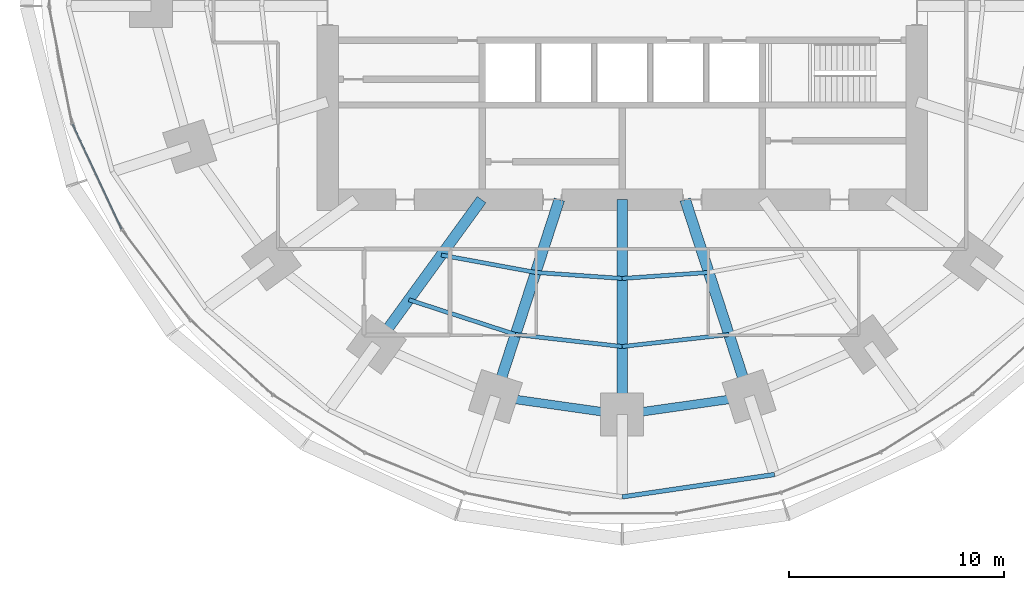
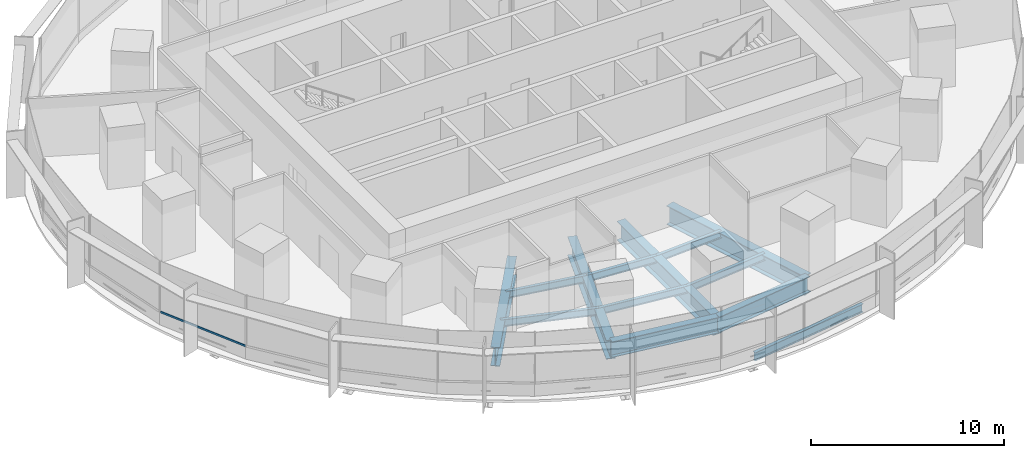
# One storey, part 3 of 15: 13 beams, 1 member, 1 element without a shape of its own.
"""IFC4 building model written with IfcOpenShell, lengths in metres."""

from ifc_helpers import new_model, si_unit, direction, frame, origin, origin_2d, place, context, subcontext, project, spatial, rectangle, i_section, extrude, material, material_profile, profile_set, type_object, element, aggregate, save


model = new_model("IFC4")

# Units and contexts
model_context = context("Model", 3, precision=1e-05, world=origin(), true_north=direction((0.0, 1.0)))
body_context = subcontext(model_context, "Body", "Model", "MODEL_VIEW")
ifc_project = project(units=[si_unit("LENGTHUNIT", "METRE"), si_unit("AREAUNIT", "SQUARE_METRE"), si_unit("VOLUMEUNIT", "CUBIC_METRE"), si_unit("PLANEANGLEUNIT", "RADIAN"), si_unit("MASSUNIT", "GRAM", prefix="KILO")], contexts=[model_context])

# Site, building, storey
site_placement = place(None, origin())
site = spatial("IfcSite", under=ifc_project, at=site_placement, CompositionType="ELEMENT")
building_placement = place(site_placement, origin())
building = spatial("IfcBuilding", under=site, at=building_placement, Name="Marramba Exchange Tower", CompositionType="ELEMENT")
storey_placement = place(building_placement, frame((0.0, 0.0, 36.39990234375)))
storey = spatial("IfcBuildingStorey", under=building, at=storey_placement, Name="L08", CompositionType="ELEMENT", Elevation=36.39990234375)

# Beams
ifc_material_1 = material(Name="Steel AS/NZS 3679.1 grade 300", Category="steel")
ifc_material_profile_1 = material_profile(ifc_material_1, i_section(OverallWidth=0.18994140625, OverallDepth=0.4541015625, WebThickness=0.008544921875, FlangeThickness=0.0126953125, FilletRadius=0.011474609375, at=origin_2d()), Name="460UB67.1")
ifc_profile_set_1 = profile_set([ifc_material_profile_1], Name="Steel AS/NZS 3679.1 grade 300")
beam_type_1 = type_object("IfcBeamType", Name="Floor joist 460UB67.1", PredefinedType="JOIST", material=ifc_profile_set_1)
beam_1_placement = place(storey_placement, frame((-8.41162109375, -11.57763671875, -0.386962890625), z_axis=(0.983455754421, -0.181148500119, 0.0), x_axis=(0.181148500119, 0.983455754421, 0.0)))
element("IfcBeam", 1, at=beam_1_placement, inside=storey, type_object=beam_type_1, Name="Joist L08 bay 14 row 1", PredefinedType="JOIST", context=body_context, shape_type="SweptSolid", body=[
    extrude(i_section(OverallWidth=0.18994140625, OverallDepth=0.4541015625, WebThickness=0.008544921875, FlangeThickness=0.0126953125, FilletRadius=0.011474609375, at=origin_2d()), origin(), (0.0, 0.0, 1.0), 4.4609375),
])
beam_2_placement = place(storey_placement, frame((-9.9208984375, -13.655029296875, -0.386962890625), z_axis=(0.950764024931, -0.309915744834, 0.0), x_axis=(0.309915744834, 0.950764024931, 0.0)))
element("IfcBeam", 2, at=beam_2_placement, inside=storey, type_object=beam_type_1, Name="Joist L08 bay 14 row 2", PredefinedType="JOIST", context=body_context, shape_type="SweptSolid", body=[
    extrude(i_section(OverallWidth=0.18994140625, OverallDepth=0.4541015625, WebThickness=0.008544921875, FlangeThickness=0.0126953125, FilletRadius=0.011474609375, at=origin_2d()), origin(), (0.0, 0.0, 1.0), 5.2158203125),
])
beam_3_placement = place(storey_placement, frame((-4.0244140625, -12.3857421875, -0.386962890625), z_axis=(0.99759625901, -0.069294328838, 0.0), x_axis=(0.069294328838, 0.99759625901, 0.0)))
element("IfcBeam", 3, at=beam_3_placement, inside=storey, type_object=beam_type_1, Name="Joist L08 bay 15 row 1", PredefinedType="JOIST", context=body_context, shape_type="SweptSolid", body=[
    extrude(i_section(OverallWidth=0.18994140625, OverallDepth=0.4541015625, WebThickness=0.008544921875, FlangeThickness=0.0126953125, FilletRadius=0.011474609375, at=origin_2d()), origin(), (0.0, 0.0, 1.0), 4.0341796875),
])
beam_4_placement = place(storey_placement, frame((-4.9619140625, -15.271484375, -0.386962890625), z_axis=(0.993712018573, -0.111966174106, 0.0), x_axis=(0.111966174106, 0.993712018573, 0.0)))
element("IfcBeam", 4, at=beam_4_placement, inside=storey, type_object=beam_type_1, Name="Joist L08 bay 15 row 2", PredefinedType="JOIST", context=body_context, shape_type="SweptSolid", body=[
    extrude(i_section(OverallWidth=0.18994140625, OverallDepth=0.4541015625, WebThickness=0.008544921875, FlangeThickness=0.0126953125, FilletRadius=0.011474609375, at=origin_2d()), origin(), (0.0, 0.0, 1.0), 4.993408203125),
])
beam_5_placement = place(storey_placement, frame((0.0, -12.665283203125, -0.386962890625), z_axis=(0.99759625901, 0.069294328838, 0.0), x_axis=(-0.069294328838, 0.99759625901, 0.0)))
element("IfcBeam", 5, at=beam_5_placement, inside=storey, type_object=beam_type_1, Name="Joist L08 bay 16 row 1", PredefinedType="JOIST", context=body_context, shape_type="SweptSolid", body=[
    extrude(i_section(OverallWidth=0.18994140625, OverallDepth=0.4541015625, WebThickness=0.008544921875, FlangeThickness=0.0126953125, FilletRadius=0.011474609375, at=origin_2d()), origin(), (0.0, 0.0, 1.0), 4.0341796875),
])
beam_6_placement = place(storey_placement, frame((0.0, -15.83056640625, -0.386962890625), z_axis=(0.993712018573, 0.111966174106, 0.0), x_axis=(-0.111966174106, 0.993712018573, 0.0)))
element("IfcBeam", 6, at=beam_6_placement, inside=storey, type_object=beam_type_1, Name="Joist L08 bay 16 row 2", PredefinedType="JOIST", context=body_context, shape_type="SweptSolid", body=[
    extrude(i_section(OverallWidth=0.18994140625, OverallDepth=0.4541015625, WebThickness=0.008544921875, FlangeThickness=0.0126953125, FilletRadius=0.011474609375, at=origin_2d()), origin(), (0.0, 0.0, 1.0), 4.993408203125),
])
ifc_material_2 = material(Name="Steel AS/NZS 3679.2 grade 300", Category="steel")
ifc_material_profile_2 = material_profile(ifc_material_2, i_section(OverallWidth=0.5, OverallDepth=1.199951171875, WebThickness=0.01611328125, FlangeThickness=0.0400390625, at=origin_2d()), Name="1200WB455")
ifc_profile_set_2 = profile_set([ifc_material_profile_2], Name="Steel AS/NZS 3679.2 grade 300")
beam_type_2 = type_object("IfcBeamType", Name="Radial girder 1200WB455", PredefinedType="BEAM", material=ifc_profile_set_2)
beam_7_placement = place(storey_placement, frame((-6.538818359375, -9.0, -0.760009765625), z_axis=(-0.587787877172, -0.809015087282, 0.0), x_axis=(0.809015087282, -0.587787877172, 0.0)))
element("IfcBeam", 7, at=beam_7_placement, inside=storey, type_object=beam_type_2, Name="Radial girder L08 TC14", PredefinedType="BEAM", context=body_context, shape_type="SweptSolid", body=[
    extrude(i_section(OverallWidth=0.5, OverallDepth=1.199951171875, WebThickness=0.01611328125, FlangeThickness=0.0400390625, at=origin_2d()), origin(), (0.0, 0.0, 1.0), 8.322021484375),
])
beam_8_placement = place(storey_placement, frame((-2.92431640625, -9.0, -0.760009765625), z_axis=(-0.309022428985, -0.951054750466, 0.0), x_axis=(0.951054750466, -0.309022428985, 0.0)))
element("IfcBeam", 8, at=beam_8_placement, inside=storey, type_object=beam_type_2, Name="Radial girder L08 TC15", PredefinedType="BEAM", context=body_context, shape_type="SweptSolid", body=[
    extrude(i_section(OverallWidth=0.5, OverallDepth=1.199951171875, WebThickness=0.01611328125, FlangeThickness=0.0400390625, at=origin_2d()), origin(), (0.0, 0.0, 1.0), 9.628173828125),
])
beam_9_placement = place(storey_placement, frame((0.0, -9.0, -0.760009765625), z_axis=(0.0, -1.0, 0.0), x_axis=(1.0, 0.0, 0.0)))
element("IfcBeam", 9, at=beam_9_placement, inside=storey, type_object=beam_type_2, Name="Radial girder L08 TC16", PredefinedType="BEAM", context=body_context, shape_type="SweptSolid", body=[
    extrude(i_section(OverallWidth=0.5, OverallDepth=1.199951171875, WebThickness=0.01611328125, FlangeThickness=0.0400390625, at=origin_2d()), origin(), (0.0, 0.0, 1.0), 9.99609375),
])
beam_10_placement = place(storey_placement, frame((2.92431640625, -9.0, -0.760009765625), z_axis=(0.309022428985, -0.951054750466, 0.0), x_axis=(0.951054750466, 0.309022428985, 0.0)))
element("IfcBeam", 10, at=beam_10_placement, inside=storey, type_object=beam_type_2, Name="Radial girder L08 TC17", PredefinedType="BEAM", context=body_context, shape_type="SweptSolid", body=[
    extrude(i_section(OverallWidth=0.5, OverallDepth=1.199951171875, WebThickness=0.01611328125, FlangeThickness=0.0400390625, at=origin_2d()), origin(), (0.0, 0.0, 1.0), 9.628173828125),
])
ifc_material_profile_3 = material_profile(ifc_material_2, i_section(OverallWidth=0.39990234375, OverallDepth=1.0, WebThickness=0.01611328125, FlangeThickness=0.031982421875, at=origin_2d()), Name="1000WB322")
ifc_profile_set_3 = profile_set([ifc_material_profile_3], Name="Steel AS/NZS 3679.2 grade 300")
beam_type_3 = type_object("IfcBeamType", Name="Ring beam 1000WB322", PredefinedType="SPANDREL", material=ifc_profile_set_3)
for number, where, z_axis, x_axis, name in (
    (11, (-5.899658203125, -18.156982421875, -0.659912109375), (0.990036163016, -0.140813337152, 0.0), (0.140813337152, 0.990036163016, 0.0), "Ring beam L08 TC15-TC16"),
    (12, (0.0, -18.99609375, -0.659912109375), (0.990036163016, 0.140813337152, 0.0), (-0.140813337152, 0.990036163016, 0.0), "Ring beam L08 TC16-TC17"),
):
    element("IfcBeam", number, at=place(storey_placement, frame(where, z_axis=z_axis, x_axis=x_axis)), inside=storey, type_object=beam_type_3, Name=name, PredefinedType="SPANDREL", context=body_context, shape_type="SweptSolid", body=[
        extrude(i_section(OverallWidth=0.39990234375, OverallDepth=1.0, WebThickness=0.01611328125, FlangeThickness=0.031982421875, at=origin_2d()), origin(), (0.0, 0.0, 1.0), 5.958984375),
    ])
ifc_material_profile_4 = material_profile(ifc_material_1, i_section(OverallWidth=0.208984375, OverallDepth=0.528076171875, WebThickness=0.009521484375, FlangeThickness=0.01318359375, FilletRadius=0.013916015625, at=origin_2d()), Name="530UB82.0")
ifc_profile_set_4 = profile_set([ifc_material_profile_4], Name="Steel AS/NZS 3679.1 grade 300")
beam_type_4 = type_object("IfcBeamType", Name="Slab edge beam 530UB82.0", PredefinedType="SPANDREL", material=ifc_profile_set_4)
beam_11_placement = place(storey_placement, frame((0.0, -22.822021484375, -0.423828125), z_axis=(0.989338462178, 0.145634498848, 0.0), x_axis=(-0.145634498848, 0.989338462178, 0.0)))
element("IfcBeam", 13, at=beam_11_placement, inside=storey, type_object=beam_type_4, Name="Slab edge beam L08 TC16-TC17", PredefinedType="SPANDREL", context=body_context, shape_type="SweptSolid", body=[
    extrude(i_section(OverallWidth=0.208984375, OverallDepth=0.528076171875, WebThickness=0.009521484375, FlangeThickness=0.01318359375, FilletRadius=0.013916015625, at=origin_2d()), origin(), (0.0, 0.0, 1.0), 7.153076171875),
])

# Curtain wall, member
ifc_material_3 = material(Name="Aluminium framing, bronze anodised", Category="aluminium")
curtain_wall_type = type_object("IfcCurtainWallType", Name="Trading floor ribbon curtain wall", PredefinedType="USERDEFINED", material=ifc_material_3)
curtain_wall_placement = place(storey_placement, origin())
curtain_wall = element("IfcCurtainWall", 14, at=curtain_wall_placement, inside=storey, type_object=curtain_wall_type, Name="Curtain wall CW3 L08 F16-F20", ObjectType="RIBBON CURTAIN WALL", PredefinedType="USERDEFINED")
ifc_material_4 = material(Name="Aluminium transom, bronze anodised", Category="aluminium")
ifc_material_profile_5 = material_profile(ifc_material_4, rectangle(XDim=0.06005859375, YDim=0.1201171875, at=origin_2d()), Name="CW3 transom 60x120")
ifc_profile_set_5 = profile_set([ifc_material_profile_5], Name="Aluminium transom, bronze anodised")
member_type = type_object("IfcMemberType", Name="Trading floor ribbon curtain wall transom", PredefinedType="USERDEFINED", material=ifc_profile_set_5)
member_placement = place(storey_placement, frame((-25.559326171875, -5.492431640625, 0.830078125), z_axis=(0.423494101671, -0.905898860718, 0.0), x_axis=(0.905898860718, 0.423494101671, 0.0)))
member = element("IfcMember", 15, at=member_placement, type_object=member_type, Name="CW3 sill transom", ObjectType="TRANSOM", PredefinedType="USERDEFINED", context=body_context, shape_type="SweptSolid", body=[
    extrude(rectangle(XDim=0.06005859375, YDim=0.1201171875, at=origin_2d()), origin(), (0.0, 0.0, 1.0), 5.379150390625),
])
aggregate(curtain_wall, [member])

save(model, "model.ifc")
